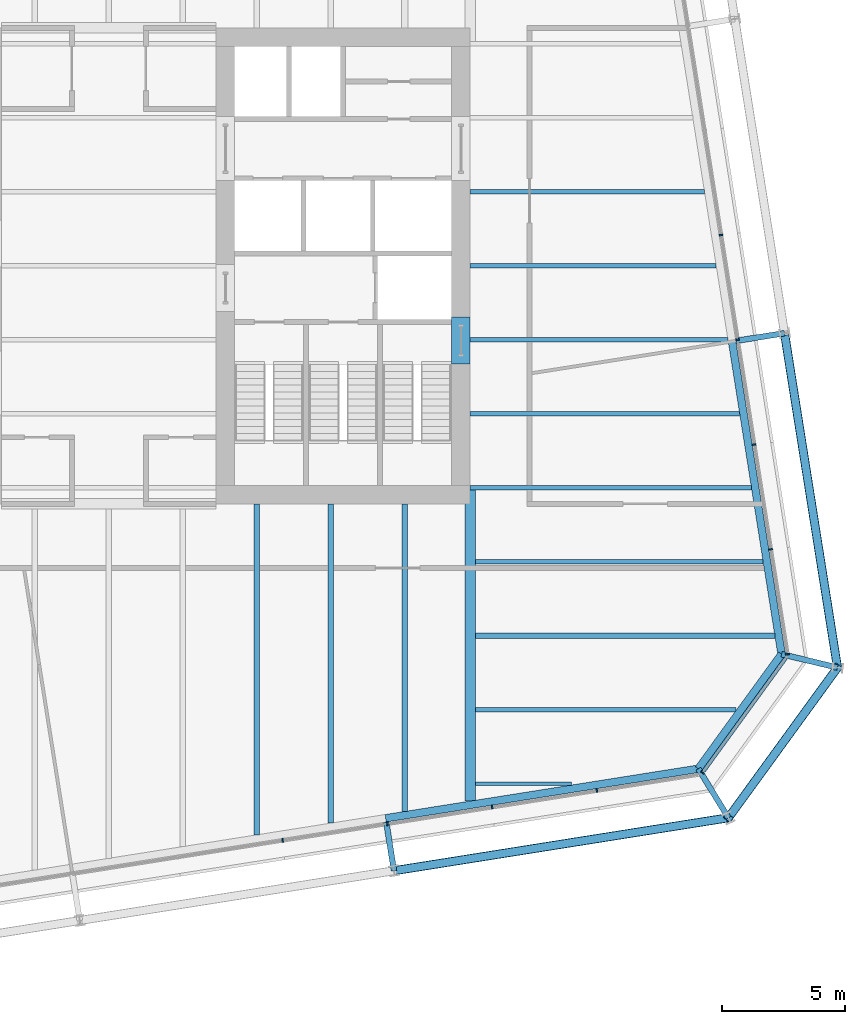
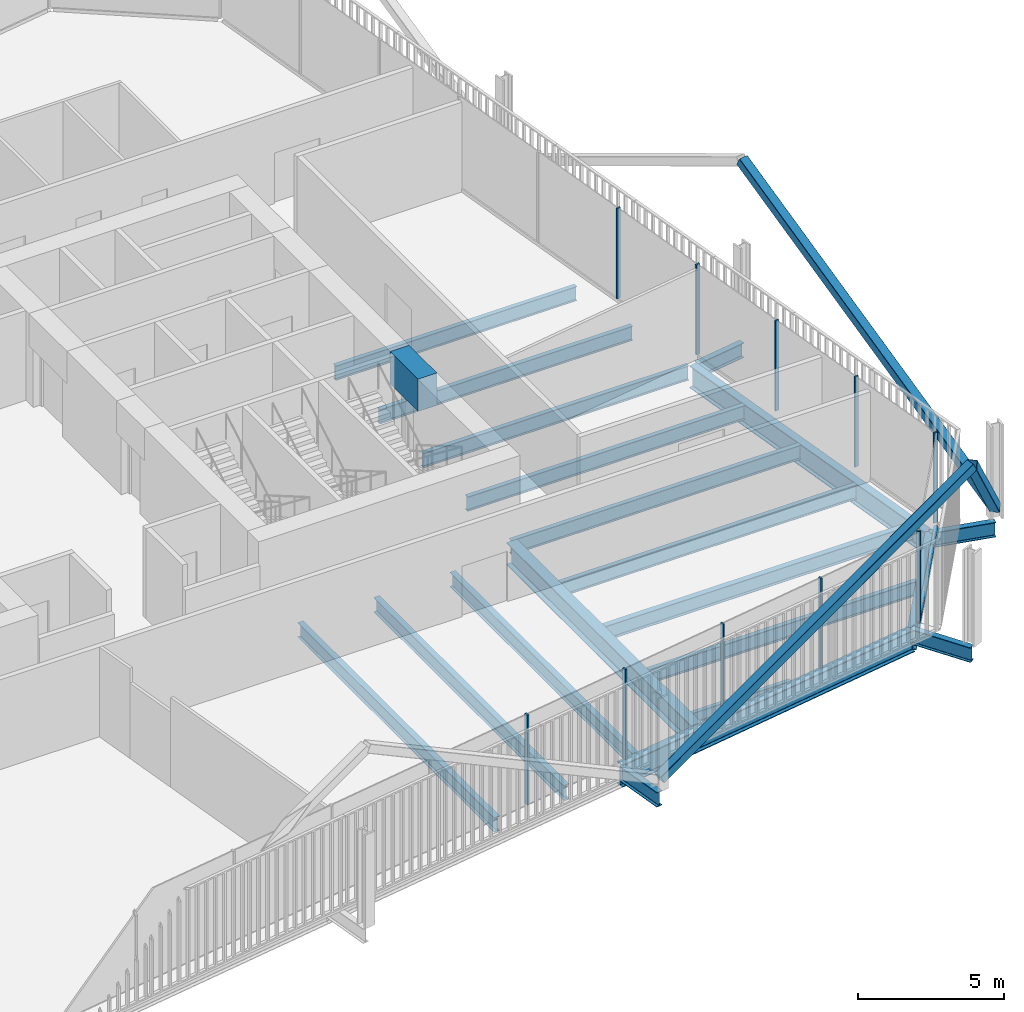
# One storey, part 8 of 22: 21 beams, 14 members, 3 elements without a shape of their own.
"""IFC4 building model written with IfcOpenShell, lengths in metres."""

from ifc_helpers import new_model, si_unit, direction, frame, origin, origin_2d, place, context, subcontext, project, spatial, rectangle, hollow_rectangle, i_section, extrude, material, layer, layer_set, material_profile, profile_set, type_object, element, aggregate, save


model = new_model("IFC4")

# Units and contexts
model_context = context("Model", 3, precision=1e-05, world=origin(), true_north=direction((0.0, 1.0)))
body_context = subcontext(model_context, "Body", "Model", "MODEL_VIEW")
ifc_project = project(units=[si_unit("LENGTHUNIT", "METRE"), si_unit("AREAUNIT", "SQUARE_METRE"), si_unit("VOLUMEUNIT", "CUBIC_METRE"), si_unit("PLANEANGLEUNIT", "RADIAN"), si_unit("MASSUNIT", "GRAM", prefix="KILO")], contexts=[model_context])

# Site, building, storey
site_placement = place(None, origin())
site = spatial("IfcSite", under=ifc_project, at=site_placement, CompositionType="ELEMENT")
building_placement = place(site_placement, origin())
building = spatial("IfcBuilding", under=site, at=building_placement, Name="Millrace Tower", CompositionType="ELEMENT")
storey_placement = place(building_placement, frame((0.0, 0.0, 152.89990234375)))
storey = spatial("IfcBuildingStorey", under=building, at=storey_placement, Name="L34", CompositionType="ELEMENT", Elevation=152.89990234375)

# Curtain wall, members
ifc_material_1 = material(Name="Aluminium and glass", Category="aluminium")
ifc_layer = layer(ifc_material_1, 0.14990234375)
ifc_layer_set = layer_set([ifc_layer], Name="Aluminium and glass")
curtain_wall_type = type_object("IfcCurtainWallType", Name="CW-1 office vision curtain wall", PredefinedType="NOTDEFINED", material=ifc_layer_set)
placement = place(storey_placement, origin())
curtain_wall_1 = element("IfcCurtainWall", 1, at=placement, inside=storey, type_object=curtain_wall_type, Name="Curtain wall C-F02 L34", PredefinedType="NOTDEFINED")
ifc_material_2 = material(Name="Aluminium", Category="aluminium")
ifc_material_profile_1 = material_profile(ifc_material_2, rectangle(XDim=0.06494140625, YDim=0.14990234375, at=origin_2d()))
ifc_profile_set_1 = profile_set([ifc_material_profile_1], Name="Aluminium")
member_type_1 = type_object("IfcMemberType", Name="CW-1 office vision curtain wall mullion", PredefinedType="MULLION", material=ifc_profile_set_1)
member_1_placement = place(storey_placement, frame((7.04345703125, -23.293212890625, 0.14013671875), z_axis=(0.0, 0.0, 1.0), x_axis=(0.98768833929, 0.15643447328, 0.0)))
member_1 = element("IfcMember", 2, at=member_1_placement, type_object=member_type_1, Name="CW1 mullion C-F02.6", PredefinedType="MULLION", context=body_context, shape_type="SweptSolid", body=[
    extrude(rectangle(XDim=0.06494140625, YDim=0.14990234375, at=origin_2d()), origin(), (0.0, 0.0, 1.0), 3.760009765625),
])
member_2_placement = place(storey_placement, frame((11.29052734375, -22.62060546875, 0.14013671875), z_axis=(0.0, 0.0, 1.0), x_axis=(0.98768833929, 0.15643447328, 0.0)))
member_2 = element("IfcMember", 3, at=member_2_placement, type_object=member_type_1, Name="CW1 mullion C-F02.7", PredefinedType="MULLION", context=body_context, shape_type="SweptSolid", body=[
    extrude(rectangle(XDim=0.06494140625, YDim=0.14990234375, at=origin_2d()), origin(), (0.0, 0.0, 1.0), 3.760009765625),
])
member_3_placement = place(storey_placement, frame((15.53759765625, -21.947998046875, 0.14013671875), z_axis=(0.0, 0.0, 1.0), x_axis=(0.98768833929, 0.15643447328, 0.0)))
member_3 = element("IfcMember", 4, at=member_3_placement, type_object=member_type_1, Name="CW1 mullion C-F02.8", PredefinedType="MULLION", context=body_context, shape_type="SweptSolid", body=[
    extrude(rectangle(XDim=0.06494140625, YDim=0.14990234375, at=origin_2d()), origin(), (0.0, 0.0, 1.0), 3.760009765625),
])
member_4_placement = place(storey_placement, frame((19.78466796875, -21.275390625, 0.14013671875), z_axis=(0.0, 0.0, 1.0), x_axis=(0.98768833929, 0.15643447328, 0.0)))
member_4 = element("IfcMember", 5, at=member_4_placement, type_object=member_type_1, Name="CW1 mullion C-F02.9", PredefinedType="MULLION", context=body_context, shape_type="SweptSolid", body=[
    extrude(rectangle(XDim=0.06494140625, YDim=0.14990234375, at=origin_2d()), origin(), (0.0, 0.0, 1.0), 3.760009765625),
])
aggregate(curtain_wall_1, [member_1, member_2, member_3, member_4])

# Curtain wall, member
curtain_wall_2 = element("IfcCurtainWall", 6, at=placement, inside=storey, type_object=curtain_wall_type, Name="Curtain wall C-F03 L34", PredefinedType="NOTDEFINED")
member_5_placement = place(storey_placement, frame((24.06787109375, -20.551513671875, 0.14013671875), z_axis=(0.0, 0.0, 1.0), x_axis=(0.587785269844, 0.809016981623, 0.0)))
member_5 = element("IfcMember", 7, at=member_5_placement, type_object=member_type_1, Name="CW1 mullion C-F03.1", PredefinedType="MULLION", context=body_context, shape_type="SweptSolid", body=[
    extrude(rectangle(XDim=0.06494140625, YDim=0.14990234375, at=origin_2d()), origin(), (0.0, 0.0, 1.0), 3.760009765625),
])

# Curtain wall, members
curtain_wall_3 = element("IfcCurtainWall", 8, at=placement, inside=storey, type_object=curtain_wall_type, Name="Curtain wall C-F04 L34", PredefinedType="NOTDEFINED")
member_6_placement = place(storey_placement, frame((27.506591796875, -15.74169921875, 0.14013671875), z_axis=(0.0, 0.0, 1.0), x_axis=(-0.15643447328, 0.98768833929, 0.0)))
member_6 = element("IfcMember", 9, at=member_6_placement, type_object=member_type_1, Name="CW1 mullion C-F04.1", PredefinedType="MULLION", context=body_context, shape_type="SweptSolid", body=[
    extrude(rectangle(XDim=0.06494140625, YDim=0.14990234375, at=origin_2d()), origin(), (0.0, 0.0, 1.0), 3.760009765625),
])
member_7_placement = place(storey_placement, frame((26.833984375, -11.49462890625, 0.14013671875), z_axis=(0.0, 0.0, 1.0), x_axis=(-0.15643447328, 0.98768833929, 0.0)))
member_7 = element("IfcMember", 10, at=member_7_placement, type_object=member_type_1, Name="CW1 mullion C-F04.2", PredefinedType="MULLION", context=body_context, shape_type="SweptSolid", body=[
    extrude(rectangle(XDim=0.06494140625, YDim=0.14990234375, at=origin_2d()), origin(), (0.0, 0.0, 1.0), 3.760009765625),
])
member_8_placement = place(storey_placement, frame((26.161376953125, -7.24755859375, 0.14013671875), z_axis=(0.0, 0.0, 1.0), x_axis=(-0.15643447328, 0.98768833929, 0.0)))
member_8 = element("IfcMember", 11, at=member_8_placement, type_object=member_type_1, Name="CW1 mullion C-F04.3", PredefinedType="MULLION", context=body_context, shape_type="SweptSolid", body=[
    extrude(rectangle(XDim=0.06494140625, YDim=0.14990234375, at=origin_2d()), origin(), (0.0, 0.0, 1.0), 3.760009765625),
])
member_9_placement = place(storey_placement, frame((25.48876953125, -3.00048828125, 0.14013671875), z_axis=(0.0, 0.0, 1.0), x_axis=(-0.15643447328, 0.98768833929, 0.0)))
member_9 = element("IfcMember", 12, at=member_9_placement, type_object=member_type_1, Name="CW1 mullion C-F04.4", PredefinedType="MULLION", context=body_context, shape_type="SweptSolid", body=[
    extrude(rectangle(XDim=0.06494140625, YDim=0.14990234375, at=origin_2d()), origin(), (0.0, 0.0, 1.0), 3.760009765625),
])
member_10_placement = place(storey_placement, frame((24.81591796875, 1.24658203125, 0.14013671875), z_axis=(0.0, 0.0, 1.0), x_axis=(-0.15643447328, 0.98768833929, 0.0)))
member_10 = element("IfcMember", 13, at=member_10_placement, type_object=member_type_1, Name="CW1 mullion C-F04.5", PredefinedType="MULLION", context=body_context, shape_type="SweptSolid", body=[
    extrude(rectangle(XDim=0.06494140625, YDim=0.14990234375, at=origin_2d()), origin(), (0.0, 0.0, 1.0), 3.760009765625),
])
aggregate(curtain_wall_3, [member_6, member_7, member_8, member_9, member_10])

# Member
ifc_material_3 = material(Name="Aluminium", Category="aluminium")
ifc_material_profile_2 = material_profile(ifc_material_3, rectangle(XDim=0.14990234375, YDim=0.139892578125, at=origin_2d()))
ifc_profile_set_2 = profile_set([ifc_material_profile_2], Name="Aluminium")
member_type_2 = type_object("IfcMemberType", Name="CW-1 office vision curtain wall transom", PredefinedType="USERDEFINED", material=ifc_profile_set_2)
member_11_placement = place(storey_placement, frame((24.107421875, -20.496826171875, 0.070068359375), z_axis=(0.587810581339, 0.808998591139, 0.0), x_axis=(-0.808998591139, 0.587810581339, 0.0)))
member_11 = element("IfcMember", 14, at=member_11_placement, type_object=member_type_2, Name="CW1 transom C-F03.1", ObjectType="TRANSOM", PredefinedType="USERDEFINED", context=body_context, shape_type="SweptSolid", body=[
    extrude(rectangle(XDim=0.14990234375, YDim=0.139892578125, at=origin_2d()), origin(), (0.0, 0.0, 1.0), 5.6689453125),
])

aggregate(curtain_wall_2, [member_5, member_11])

# Beam
ifc_material_4 = material(Name="Concrete C70", Category="concrete")
ifc_material_profile_3 = material_profile(ifc_material_4, rectangle(XDim=0.75, YDim=1.340087890625, at=origin_2d()))
ifc_profile_set_3 = profile_set([ifc_material_profile_3], Name="Concrete C70")
beam_type_1 = type_object("IfcBeamType", Name="Coupling beam 750 x 1340 Concrete C70, 1300 opening", PredefinedType="BEAM", material=ifc_profile_set_3)
beam_1_placement = place(storey_placement, frame((14.27490234375, -2.080078125, 3.070068359375), z_axis=(0.0, -1.0, 0.0), x_axis=(1.0, 0.0, 0.0)))
element("IfcBeam", 15, at=beam_1_placement, inside=storey, type_object=beam_type_1, Name="Coupling beam E L34", PredefinedType="BEAM", context=body_context, shape_type="SweptSolid", body=[
    extrude(rectangle(XDim=0.75, YDim=1.340087890625, at=origin_2d()), origin(), (0.0, 0.0, 1.0), 1.89990234375),
])

# Members
ifc_material_5 = material(Name="Steel ASTM A500 Grade C", Category="steel")
ifc_material_profile_4 = material_profile(ifc_material_5, hollow_rectangle(XDim=0.355712890625, YDim=0.355712890625, WallThickness=0.015869140625, InnerFilletRadius=0.008056640625, OuterFilletRadius=0.02392578125, at=origin_2d()))
ifc_profile_set_4 = profile_set([ifc_material_profile_4], Name="Steel ASTM A500 Grade C")
member_type_3 = type_object("IfcMemberType", Name="Exoskeleton brace HSS14x14x5/8", PredefinedType="BRACE", material=ifc_profile_set_4)
member_12_placement = place(storey_placement, frame((11.5595703125, -24.527099609375, 0.400146484375), z_axis=(0.879908188937, 0.139368965396, 0.454244285078), x_axis=(-0.156440158434, 0.987687438833, 0.0)))
element("IfcMember", 16, at=member_12_placement, inside=storey, type_object=member_type_3, Name="BRC-C-L34-04", PredefinedType="BRACE", context=body_context, shape_type="SweptSolid", body=[
    extrude(hollow_rectangle(XDim=0.355712890625, YDim=0.355712890625, WallThickness=0.015869140625, InnerFilletRadius=0.008056640625, OuterFilletRadius=0.02392578125, at=origin_2d()), origin(), (0.0, 0.0, 1.0), 15.41015625),
])
member_13_placement = place(storey_placement, frame((29.542724609375, -16.291015625, 0.400146484375), z_axis=(-0.430395153162, -0.592372334541, 0.681069034243), x_axis=(0.809009551985, -0.587795495726, 0.0)))
element("IfcMember", 17, at=member_13_placement, inside=storey, type_object=member_type_3, Name="BRC-C-L34-05", PredefinedType="BRACE", context=body_context, shape_type="SweptSolid", body=[
    extrude(hollow_rectangle(XDim=0.355712890625, YDim=0.355712890625, WallThickness=0.015869140625, InnerFilletRadius=0.008056640625, OuterFilletRadius=0.02392578125, at=origin_2d()), origin(), (0.0, 0.0, 1.0), 10.278076171875),
])
member_14_placement = place(storey_placement, frame((29.542724609375, -16.291015625, 0.400146484375), z_axis=(-0.139368965396, 0.879908188937, 0.454244285078), x_axis=(-0.987687438833, -0.156440158434, 0.0)))
element("IfcMember", 18, at=member_14_placement, inside=storey, type_object=member_type_3, Name="BRC-C-L34-06", PredefinedType="BRACE", context=body_context, shape_type="SweptSolid", body=[
    extrude(hollow_rectangle(XDim=0.355712890625, YDim=0.355712890625, WallThickness=0.015869140625, InnerFilletRadius=0.008056640625, OuterFilletRadius=0.02392578125, at=origin_2d()), origin(), (0.0, 0.0, 1.0), 15.41015625),
])

# Beams
ifc_material_6 = material(Name="Steel ASTM A992 Grade 50", Category="steel")
ifc_material_profile_5 = material_profile(ifc_material_6, i_section(OverallWidth=0.15234375, OverallDepth=0.449462890625, WebThickness=0.007568359375, FlangeThickness=0.0107421875, FilletRadius=0.01025390625, at=origin_2d()))
ifc_profile_set_5 = profile_set([ifc_material_profile_5], Name="Steel ASTM A992 Grade 50")
beam_type_2 = type_object("IfcBeamType", Name="Floor beam W18x35", PredefinedType="JOIST", material=ifc_profile_set_5)
beam_2_placement = place(storey_placement, frame((14.859619140625, -21.0, -0.384765625), z_axis=(1.0, 0.0, 0.0), x_axis=(0.0, 1.0, 0.0)))
element("IfcBeam", 19, at=beam_2_placement, inside=storey, type_object=beam_type_2, Name="BM-C-L34-S1-S003", PredefinedType="JOIST", context=body_context, shape_type="SweptSolid", body=[
    extrude(i_section(OverallWidth=0.15234375, OverallDepth=0.449462890625, WebThickness=0.007568359375, FlangeThickness=0.0107421875, FilletRadius=0.01025390625, at=origin_2d()), origin(), (0.0, 0.0, 1.0), 3.9033203125),
])
ifc_material_7 = material(Name="Steel ASTM A992 Grade 50", Category="steel")
ifc_material_profile_6 = material_profile(ifc_material_7, i_section(OverallWidth=0.177978515625, OverallDepth=0.599365234375, WebThickness=0.010009765625, FlangeThickness=0.012939453125, FilletRadius=0.012939453125, at=origin_2d()))
ifc_profile_set_6 = profile_set([ifc_material_profile_6], Name="Steel ASTM A992 Grade 50")
beam_type_3 = type_object("IfcBeamType", Name="Floor beam W24x55", PredefinedType="JOIST", material=ifc_profile_set_6)
beam_3_placement = place(storey_placement, frame((14.64990234375, 0.0, -0.459716796875), z_axis=(1.0, 0.0, 0.0), x_axis=(0.0, 1.0, 0.0)))
element("IfcBeam", 20, at=beam_3_placement, inside=storey, type_object=beam_type_3, Name="BM-C-L34-S1-S021", PredefinedType="JOIST", context=body_context, shape_type="SweptSolid", body=[
    extrude(i_section(OverallWidth=0.177978515625, OverallDepth=0.599365234375, WebThickness=0.010009765625, FlangeThickness=0.012939453125, FilletRadius=0.012939453125, at=origin_2d()), origin(), (0.0, 0.0, 1.0), 9.976318359375),
])
beam_4_placement = place(storey_placement, frame((14.64990234375, 3.0, -0.459716796875), z_axis=(1.0, 0.0, 0.0), x_axis=(0.0, 1.0, 0.0)))
element("IfcBeam", 21, at=beam_4_placement, inside=storey, type_object=beam_type_3, Name="BM-C-L34-S1-S024", PredefinedType="JOIST", context=body_context, shape_type="SweptSolid", body=[
    extrude(i_section(OverallWidth=0.177978515625, OverallDepth=0.599365234375, WebThickness=0.010009765625, FlangeThickness=0.012939453125, FilletRadius=0.012939453125, at=origin_2d()), origin(), (0.0, 0.0, 1.0), 9.501220703125),
])
ifc_material_8 = material(Name="Steel ASTM A992 Grade 50", Category="steel")
ifc_material_profile_7 = material_profile(ifc_material_8, i_section(OverallWidth=0.1787109375, OverallDepth=0.60205078125, WebThickness=0.010986328125, FlangeThickness=0.014892578125, FilletRadius=0.0126953125, at=origin_2d()))
ifc_profile_set_7 = profile_set([ifc_material_profile_7], Name="Steel ASTM A992 Grade 50")
beam_type_4 = type_object("IfcBeamType", Name="Floor beam W24x62", PredefinedType="JOIST", material=ifc_profile_set_7)
beam_5_placement = place(storey_placement, frame((14.859619140625, -12.0, -0.4609375), z_axis=(1.0, 0.0, 0.0), x_axis=(0.0, 1.0, 0.0)))
element("IfcBeam", 22, at=beam_5_placement, inside=storey, type_object=beam_type_4, Name="BM-C-L34-S1-S009", PredefinedType="JOIST", context=body_context, shape_type="SweptSolid", body=[
    extrude(i_section(OverallWidth=0.1787109375, OverallDepth=0.60205078125, WebThickness=0.010986328125, FlangeThickness=0.014892578125, FilletRadius=0.0126953125, at=origin_2d()), origin(), (0.0, 0.0, 1.0), 11.667236328125),
])
beam_6_placement = place(storey_placement, frame((14.64990234375, -9.0, -0.4609375), z_axis=(1.0, 0.0, 0.0), x_axis=(0.0, 1.0, 0.0)))
element("IfcBeam", 23, at=beam_6_placement, inside=storey, type_object=beam_type_4, Name="BM-C-L34-S1-S012", PredefinedType="JOIST", context=body_context, shape_type="SweptSolid", body=[
    extrude(i_section(OverallWidth=0.1787109375, OverallDepth=0.60205078125, WebThickness=0.010986328125, FlangeThickness=0.014892578125, FilletRadius=0.0126953125, at=origin_2d()), origin(), (0.0, 0.0, 1.0), 11.40185546875),
])
beam_7_placement = place(storey_placement, frame((14.64990234375, -6.0, -0.4609375), z_axis=(1.0, 0.0, 0.0), x_axis=(0.0, 1.0, 0.0)))
element("IfcBeam", 24, at=beam_7_placement, inside=storey, type_object=beam_type_4, Name="BM-C-L34-S1-S015", PredefinedType="JOIST", context=body_context, shape_type="SweptSolid", body=[
    extrude(i_section(OverallWidth=0.1787109375, OverallDepth=0.60205078125, WebThickness=0.010986328125, FlangeThickness=0.014892578125, FilletRadius=0.0126953125, at=origin_2d()), origin(), (0.0, 0.0, 1.0), 10.9267578125),
])
beam_8_placement = place(storey_placement, frame((14.64990234375, -3.0, -0.4609375), z_axis=(1.0, 0.0, 0.0), x_axis=(0.0, 1.0, 0.0)))
element("IfcBeam", 25, at=beam_8_placement, inside=storey, type_object=beam_type_4, Name="BM-C-L34-S1-S018", PredefinedType="JOIST", context=body_context, shape_type="SweptSolid", body=[
    extrude(i_section(OverallWidth=0.1787109375, OverallDepth=0.60205078125, WebThickness=0.010986328125, FlangeThickness=0.014892578125, FilletRadius=0.0126953125, at=origin_2d()), origin(), (0.0, 0.0, 1.0), 10.45166015625),
])
beam_9_placement = place(storey_placement, frame((14.859619140625, -18.0, -0.4609375), z_axis=(1.0, 0.0, 0.0), x_axis=(0.0, 1.0, 0.0)))
element("IfcBeam", 26, at=beam_9_placement, inside=storey, type_object=beam_type_4, Name="BM-C-L34-S1-S005", PredefinedType="JOIST", context=body_context, shape_type="SweptSolid", body=[
    extrude(i_section(OverallWidth=0.1787109375, OverallDepth=0.60205078125, WebThickness=0.010986328125, FlangeThickness=0.014892578125, FilletRadius=0.0126953125, at=origin_2d()), origin(), (0.0, 0.0, 1.0), 10.577392578125),
])
ifc_material_9 = material(Name="Steel ASTM A992 Grade 50", Category="steel")
ifc_material_profile_8 = material_profile(ifc_material_9, i_section(OverallWidth=0.228271484375, OverallDepth=0.607177734375, WebThickness=0.01123046875, FlangeThickness=0.017333984375, FilletRadius=0.0126953125, at=origin_2d()))
ifc_profile_set_8 = profile_set([ifc_material_profile_8], Name="Steel ASTM A992 Grade 50")
beam_type_5 = type_object("IfcBeamType", Name="Floor beam W24x76", PredefinedType="JOIST", material=ifc_profile_set_8)
beam_10_placement = place(storey_placement, frame((14.859619140625, -15.0, -0.46337890625), z_axis=(1.0, 0.0, 0.0), x_axis=(0.0, 1.0, 0.0)))
element("IfcBeam", 27, at=beam_10_placement, inside=storey, type_object=beam_type_5, Name="BM-C-L34-S1-S007", PredefinedType="JOIST", context=body_context, shape_type="SweptSolid", body=[
    extrude(i_section(OverallWidth=0.228271484375, OverallDepth=0.607177734375, WebThickness=0.01123046875, FlangeThickness=0.017333984375, FilletRadius=0.0126953125, at=origin_2d()), origin(), (0.0, 0.0, 1.0), 12.142578125),
])
beam_11_placement = place(storey_placement, frame((6.0, -23.071533203125, -0.46337890625), z_axis=(0.0, 1.0, 0.0), x_axis=(-1.0, 0.0, 0.0)))
element("IfcBeam", 28, at=beam_11_placement, inside=storey, type_object=beam_type_5, Name="BM-C-L34-S1-S052", PredefinedType="JOIST", context=body_context, shape_type="SweptSolid", body=[
    extrude(i_section(OverallWidth=0.228271484375, OverallDepth=0.607177734375, WebThickness=0.01123046875, FlangeThickness=0.017333984375, FilletRadius=0.0126953125, at=origin_2d()), origin(), (0.0, 0.0, 1.0), 13.421630859375),
])
beam_12_placement = place(storey_placement, frame((9.0, -22.596435546875, -0.46337890625), z_axis=(0.0, 1.0, 0.0), x_axis=(-1.0, 0.0, 0.0)))
element("IfcBeam", 29, at=beam_12_placement, inside=storey, type_object=beam_type_5, Name="BM-C-L34-S1-S054", PredefinedType="JOIST", context=body_context, shape_type="SweptSolid", body=[
    extrude(i_section(OverallWidth=0.228271484375, OverallDepth=0.607177734375, WebThickness=0.01123046875, FlangeThickness=0.017333984375, FilletRadius=0.0126953125, at=origin_2d()), origin(), (0.0, 0.0, 1.0), 12.946533203125),
])
beam_13_placement = place(storey_placement, frame((12.0, -22.12109375, -0.46337890625), z_axis=(0.0, 1.0, 0.0), x_axis=(-1.0, 0.0, 0.0)))
element("IfcBeam", 30, at=beam_13_placement, inside=storey, type_object=beam_type_5, Name="BM-C-L34-S1-S056", PredefinedType="JOIST", context=body_context, shape_type="SweptSolid", body=[
    extrude(i_section(OverallWidth=0.228271484375, OverallDepth=0.607177734375, WebThickness=0.01123046875, FlangeThickness=0.017333984375, FilletRadius=0.0126953125, at=origin_2d()), origin(), (0.0, 0.0, 1.0), 12.47119140625),
])
ifc_material_10 = material(Name="Steel ASTM A992 Grade 50", Category="steel")
ifc_material_profile_9 = material_profile(ifc_material_10, i_section(OverallWidth=0.419189453125, OverallDepth=0.927001953125, WebThickness=0.019287109375, FlangeThickness=0.031982421875, FilletRadius=0.024169921875, at=origin_2d()))
ifc_profile_set_9 = profile_set([ifc_material_profile_9], Name="Steel ASTM A992 Grade 50")
beam_type_6 = type_object("IfcBeamType", Name="Girder medium span W36x231", PredefinedType="BEAM", material=ifc_profile_set_9)
beam_14_placement = place(storey_placement, frame((14.64990234375, -21.693603515625, -0.62353515625), z_axis=(0.0, 1.0, 0.0), x_axis=(-1.0, 0.0, 0.0)))
element("IfcBeam", 31, at=beam_14_placement, inside=storey, type_object=beam_type_6, Name="BM-C-L34-S1-G060", PredefinedType="BEAM", context=body_context, shape_type="SweptSolid", body=[
    extrude(i_section(OverallWidth=0.419189453125, OverallDepth=0.927001953125, WebThickness=0.019287109375, FlangeThickness=0.031982421875, FilletRadius=0.024169921875, at=origin_2d()), origin(), (0.0, 0.0, 1.0), 12.603515625),
])
ifc_material_11 = material(Name="Steel ASTM A992 Grade 50", Category="steel")
ifc_material_profile_10 = material_profile(ifc_material_11, i_section(OverallWidth=0.23046875, OverallDepth=0.6171875, WebThickness=0.01318359375, FlangeThickness=0.022216796875, FilletRadius=0.012939453125, at=origin_2d()))
ifc_profile_set_10 = profile_set([ifc_material_profile_10], Name="Steel ASTM A992 Grade 50")
beam_type_7 = type_object("IfcBeamType", Name="Link beam W24x94", PredefinedType="BEAM", material=ifc_profile_set_10)
beam_15_placement = place(storey_placement, frame((25.419677734375, -3.04443359375, -0.468505859375), z_axis=(0.987678691416, 0.156495375404, 0.0), x_axis=(-0.156495375404, 0.987678691416, 0.0)))
element("IfcBeam", 32, at=beam_15_placement, inside=storey, type_object=beam_type_7, Name="LNK-C-L34-S1-11", PredefinedType="BEAM", context=body_context, shape_type="SweptSolid", body=[
    extrude(i_section(OverallWidth=0.23046875, OverallDepth=0.6171875, WebThickness=0.01318359375, FlangeThickness=0.022216796875, FilletRadius=0.012939453125, at=origin_2d()), origin(), (0.0, 0.0, 1.0), 2.0),
])
beam_16_placement = place(storey_placement, frame((27.27587890625, -15.746826171875, -0.468505859375), z_axis=(0.972373041068, -0.233432364948, 0.0), x_axis=(0.233432364948, 0.972373041068, 0.0)))
element("IfcBeam", 33, at=beam_16_placement, inside=storey, type_object=beam_type_7, Name="LNK-C-L34-S1-12", PredefinedType="BEAM", context=body_context, shape_type="SweptSolid", body=[
    extrude(i_section(OverallWidth=0.23046875, OverallDepth=0.6171875, WebThickness=0.01318359375, FlangeThickness=0.022216796875, FilletRadius=0.012939453125, at=origin_2d()), origin(), (0.0, 0.0, 1.0), 2.331298828125),
])
beam_17_placement = place(storey_placement, frame((23.901123046875, -20.391845703125, -0.468505859375), z_axis=(0.522512938711, -0.852631355792, 0.0), x_axis=(0.852631355792, 0.522512938711, 0.0)))
element("IfcBeam", 34, at=beam_17_placement, inside=storey, type_object=beam_type_7, Name="LNK-C-L34-S1-13", PredefinedType="BEAM", context=body_context, shape_type="SweptSolid", body=[
    extrude(i_section(OverallWidth=0.23046875, OverallDepth=0.6171875, WebThickness=0.01318359375, FlangeThickness=0.022216796875, FilletRadius=0.012939453125, at=origin_2d()), origin(), (0.0, 0.0, 1.0), 2.3310546875),
])
beam_18_placement = place(storey_placement, frame((11.246826171875, -22.5517578125, -0.468505859375), z_axis=(0.15637629034, -0.987697552806, 0.0), x_axis=(0.987697552806, 0.15637629034, 0.0)))
element("IfcBeam", 35, at=beam_18_placement, inside=storey, type_object=beam_type_7, Name="LNK-C-L34-S1-14", PredefinedType="BEAM", context=body_context, shape_type="SweptSolid", body=[
    extrude(i_section(OverallWidth=0.23046875, OverallDepth=0.6171875, WebThickness=0.01318359375, FlangeThickness=0.022216796875, FilletRadius=0.012939453125, at=origin_2d()), origin(), (0.0, 0.0, 1.0), 2.0),
])
ifc_material_12 = material(Name="Steel ASTM A992 Grade 50", Category="steel")
ifc_material_profile_11 = material_profile(ifc_material_12, i_section(OverallWidth=0.307373046875, OverallDepth=0.927001953125, WebThickness=0.01953125, FlangeThickness=0.031982421875, FilletRadius=0.01904296875, at=origin_2d()))
ifc_profile_set_11 = profile_set([ifc_material_profile_11], Name="Steel ASTM A992 Grade 50")
beam_type_8 = type_object("IfcBeamType", Name="Ring beam medium span W36x194", PredefinedType="SPANDREL", material=ifc_profile_set_11)
for number, where, z_axis, x_axis, name in (
    (36, (25.267822265625, -3.068359375, -0.62353515625), (0.15643330783, -0.987688523879, 0.0), (0.987688523879, 0.15643330783, 0.0), "RNG-C-L34-S1-11"),
    (37, (23.901123046875, -20.391845703125, -0.62353515625), (-0.987688523879, -0.15643330783, 0.0), (0.15643330783, -0.987688523879, 0.0), "RNG-C-L34-S1-13"),
):
    element("IfcBeam", number, at=place(storey_placement, frame(where, z_axis=z_axis, x_axis=x_axis)), inside=storey, type_object=beam_type_8, Name=name, PredefinedType="SPANDREL", context=body_context, shape_type="SweptSolid", body=[
        extrude(i_section(OverallWidth=0.307373046875, OverallDepth=0.927001953125, WebThickness=0.01953125, FlangeThickness=0.031982421875, FilletRadius=0.01904296875, at=origin_2d()), origin(), (0.0, 0.0, 1.0), 12.83642578125),
    ])
ifc_material_13 = material(Name="Steel ASTM A992 Grade 50", Category="steel")
ifc_material_profile_12 = material_profile(ifc_material_13, i_section(OverallWidth=0.307373046875, OverallDepth=0.927001953125, WebThickness=0.01953125, FlangeThickness=0.031982421875, FilletRadius=0.01904296875, at=origin_2d()))
ifc_profile_set_12 = profile_set([ifc_material_profile_12], Name="Steel ASTM A992 Grade 50")
beam_type_9 = type_object("IfcBeamType", Name="Ring beam short span W36x194", PredefinedType="SPANDREL", material=ifc_profile_set_12)
beam_19_placement = place(storey_placement, frame((27.27587890625, -15.746826171875, -0.62353515625), z_axis=(-0.58777973792, -0.809021000772, 0.0), x_axis=(0.809021000772, -0.58777973792, 0.0)))
element("IfcBeam", 38, at=beam_19_placement, inside=storey, type_object=beam_type_9, Name="RNG-C-L34-S1-12", PredefinedType="SPANDREL", context=body_context, shape_type="SweptSolid", body=[
    extrude(i_section(OverallWidth=0.307373046875, OverallDepth=0.927001953125, WebThickness=0.01953125, FlangeThickness=0.031982421875, FilletRadius=0.01904296875, at=origin_2d()), origin(), (0.0, 0.0, 1.0), 5.741455078125),
])

save(model, "model.ifc")
